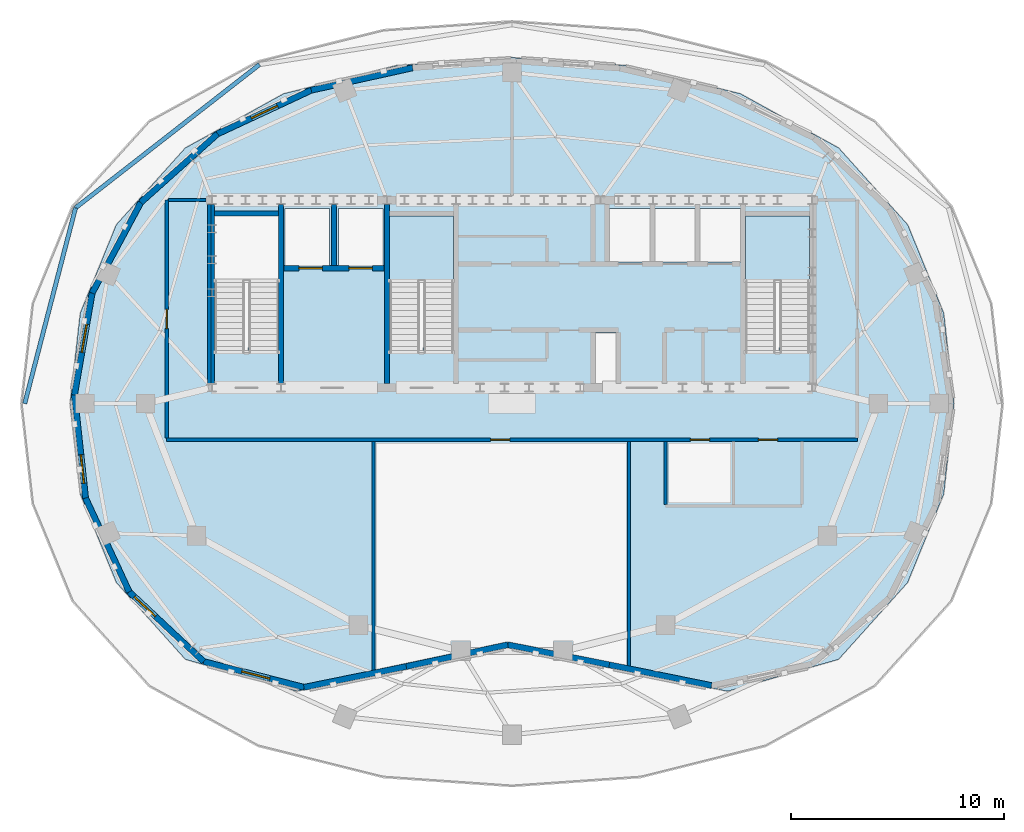
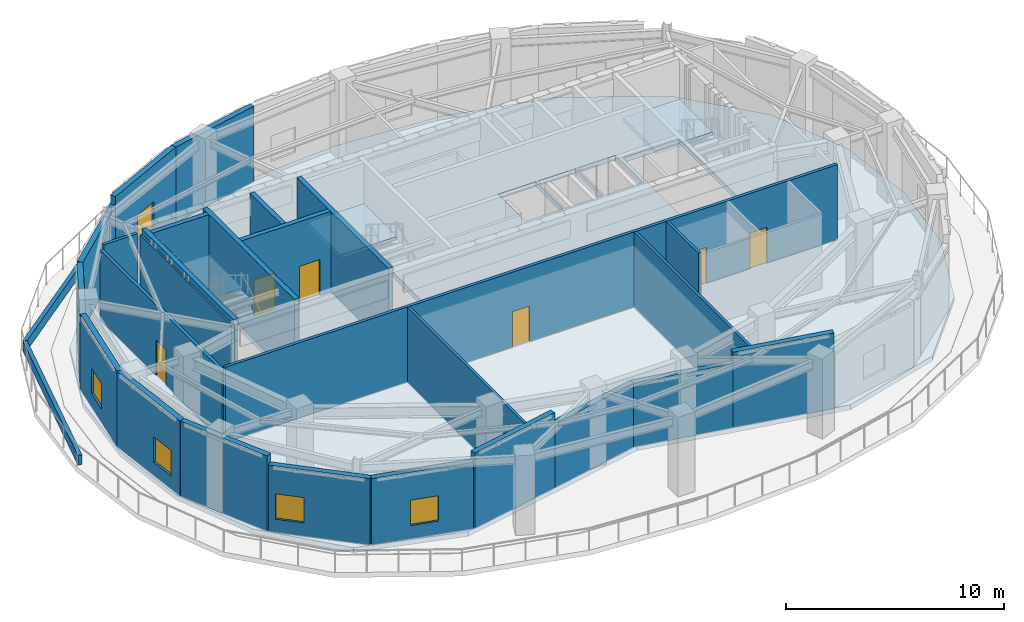
# One storey, part 3 of 8: 28 walls, 6 doors, 5 windows, 3 slabs, 11 openings, 2 elements without a shape of their own.
"""IFC4 building model written with IfcOpenShell, lengths in metres."""

from ifc_helpers import new_model, si_unit, direction, frame, frame_2d, origin, place, context, subcontext, project, spatial, polyline, rectangle, outline, extrude, material, layer, layer_set, type_object, element, fill, aggregate, save


model = new_model("IFC4")

# Units and contexts
model_context = context("Model", 3, precision=1e-05, world=origin(), true_north=direction((0.0, 1.0)))
body_context = subcontext(model_context, "Body", "Model", "MODEL_VIEW")
ifc_project = project(units=[si_unit("LENGTHUNIT", "METRE"), si_unit("AREAUNIT", "SQUARE_METRE"), si_unit("VOLUMEUNIT", "CUBIC_METRE"), si_unit("PLANEANGLEUNIT", "RADIAN"), si_unit("MASSUNIT", "GRAM", prefix="KILO")], contexts=[model_context])

# Site, building, storey
site_placement = place(None, origin())
site = spatial("IfcSite", under=ifc_project, at=site_placement, CompositionType="ELEMENT")
building_placement = place(site_placement, origin())
building = spatial("IfcBuilding", under=site, at=building_placement, Name="Haldorwick Loom Tower", CompositionType="ELEMENT")
storey_placement = place(building_placement, frame((0.0, 0.0, 291.5)))
storey = spatial("IfcBuildingStorey", under=building, at=storey_placement, Name="L78", CompositionType="ELEMENT", Elevation=291.5)

# Stair, slab
ifc_material_1 = material(Name="Concrete C40 (40 MPa)", Category="concrete")
stair_type = type_object("IfcStairType", Name="STR-STR-CORE", PredefinedType="HALF_TURN_STAIR", material=ifc_material_1)
stair_1_placement = place(storey_placement, origin())
stair_1 = element("IfcStair", 1, at=stair_1_placement, inside=storey, type_object=stair_type, Name="L78 Exit Stair ST-02", PredefinedType="HALF_TURN_STAIR")
ifc_layer_1 = layer(ifc_material_1, 0.199951171875, Name="Concrete C40 (40 MPa)", Category="concrete")
ifc_layer_set_1 = layer_set([ifc_layer_1], Name="Concrete C40 (40 MPa)")
slab_type_1 = type_object("IfcSlabType", Name="STR-SLB-LAND200", PredefinedType="LANDING", material=ifc_layer_set_1)
slab_1_placement = place(storey_placement, frame((0.0, 0.0, 2.050048828125)))
slab_1 = element("IfcSlab", 2, at=slab_1_placement, type_object=slab_type_1, Name="ST-02 landing 1", PredefinedType="LANDING", context=body_context, shape_type="SweptSolid", body=[
    extrude(outline(polyline([(49.949951171875, 31.760009765625), (49.949951171875, 34.800048828125), (46.949951171875, 34.800048828125), (46.949951171875, 31.760009765625), (49.949951171875, 31.760009765625)])), origin(), (0.0, 0.0, 1.0), 0.199951171875),
])
aggregate(stair_1, [slab_1])

stair_2_placement = place(storey_placement, origin())
stair_2 = element("IfcStair", 3, at=stair_2_placement, inside=storey, type_object=stair_type, Name="L78 Exit Stair ST-03", PredefinedType="HALF_TURN_STAIR")
slab_2_placement = place(storey_placement, frame((0.0, 0.0, 2.050048828125)))
slab_2 = element("IfcSlab", 4, at=slab_2_placement, type_object=slab_type_1, Name="ST-03 landing 1", PredefinedType="LANDING", context=body_context, shape_type="SweptSolid", body=[
    extrude(outline(polyline([(33.25, 31.760009765625), (33.25, 34.800048828125), (30.25, 34.800048828125), (30.25, 31.760009765625), (33.25, 31.760009765625)])), origin(), (0.0, 0.0, 1.0), 0.199951171875),
])
aggregate(stair_2, [slab_2])

# Slab
ifc_layer_2 = layer(ifc_material_1, 0.280029296875, Name="Concrete C40 (40 MPa)", Category="concrete")
ifc_layer_set_2 = layer_set([ifc_layer_2], Name="Concrete C40 (40 MPa)")
slab_type_2 = type_object("IfcSlabType", Name="STR-SLB-SKY280", PredefinedType="FLOOR", material=ifc_layer_set_2)
slab_3_placement = place(storey_placement, frame((0.0, 0.0, -0.280029296875)))
element("IfcSlab", 5, at=slab_3_placement, inside=storey, type_object=slab_type_2, Name="L78 Conservatory Structural Floor Slab", PredefinedType="FLOOR", context=body_context, shape_type="SweptSolid", body=[
    extrude(outline(polyline([(51.320556640625, 14.00390625), (54.561767578125, 17.608642578125), (56.25244140625, 21.7509765625), (56.733642578125, 26.0), (56.25244140625, 30.2490234375), (54.561767578125, 34.391357421875), (51.320556640625, 37.99609375), (46.716552734375, 40.5341796875), (41.426513671875, 41.85791015625), (36.0, 42.23486328125), (30.573486328125, 41.85791015625), (25.283447265625, 40.5341796875), (20.679443359375, 37.99609375), (17.438232421875, 34.391357421875), (15.74755859375, 30.2490234375), (15.266357421875, 26.0), (15.74755859375, 21.7509765625), (17.438232421875, 17.608642578125), (20.679443359375, 14.00390625), (25.88330078125, 12.505126953125), (31.505126953125, 13.619384765625), (36.0, 14.565185546875), (40.494873046875, 13.619384765625), (46.11669921875, 12.505126953125), (51.320556640625, 14.00390625)]), holes=[polyline([(40.89990234375, 26.89990234375), (39.89990234375, 26.89990234375), (39.89990234375, 29.300048828125), (40.89990234375, 29.300048828125), (40.89990234375, 26.89990234375)]), polyline([(23.6201171875, 28.39990234375), (22.050048828125, 28.39990234375), (22.050048828125, 34.800048828125), (25.050048828125, 34.800048828125), (25.050048828125, 28.639892578125), (23.6201171875, 28.639892578125), (23.6201171875, 28.39990234375)]), polyline([(31.820068359375, 28.39990234375), (30.25, 28.39990234375), (30.25, 34.800048828125), (33.25, 34.800048828125), (33.25, 28.639892578125), (31.820068359375, 28.639892578125), (31.820068359375, 28.39990234375)]), polyline([(48.52001953125, 28.39990234375), (46.949951171875, 28.39990234375), (46.949951171875, 34.800048828125), (49.949951171875, 34.800048828125), (49.949951171875, 28.639892578125), (48.52001953125, 28.639892578125), (48.52001953125, 28.39990234375)]), polyline([(27.449951171875, 32.449951171875), (25.35009765625, 32.449951171875), (25.35009765625, 35.14990234375), (27.449951171875, 35.14990234375), (27.449951171875, 32.449951171875)]), polyline([(29.949951171875, 32.449951171875), (27.85009765625, 32.449951171875), (27.85009765625, 35.14990234375), (29.949951171875, 35.14990234375), (29.949951171875, 32.449951171875)]), polyline([(42.550048828125, 32.64990234375), (40.550048828125, 32.64990234375), (40.550048828125, 35.14990234375), (42.550048828125, 35.14990234375), (42.550048828125, 32.64990234375)]), polyline([(42.64990234375, 32.64990234375), (42.64990234375, 35.14990234375), (44.64990234375, 35.14990234375), (44.64990234375, 32.64990234375), (42.64990234375, 32.64990234375)]), polyline([(44.75, 32.64990234375), (44.75, 35.14990234375), (46.75, 35.14990234375), (46.75, 32.64990234375), (44.75, 32.64990234375)])]), origin(), (0.0, 0.0, 1.0), 0.280029296875),
])

# Wall
ifc_material_2 = material(Name="Pressed Clay Face Brick and Insulated Masonry Backup Assembly", Category="masonry")
ifc_layer_3 = layer(ifc_material_2, 0.280029296875, Name="Pressed Clay Face Brick and Insulated Masonry Backup Assembly", Category="masonry")
ifc_layer_set_3 = layer_set([ifc_layer_3], Name="Pressed Clay Face Brick and Insulated Masonry Backup Assembly")
wall_type_1 = type_object("IfcWallType", Name="ARC-WL-EXT280", PredefinedType="STANDARD", material=ifc_layer_set_3)
wall_1_placement = place(storey_placement, frame((31.337890625, 41.75439453125, 0.0), z_axis=(0.0, 0.0, 1.0), x_axis=(-0.976414167671, -0.215905935936, 0.0)))
element("IfcWall", 6, at=wall_1_placement, inside=storey, type_object=wall_type_1, Name="L78 Brick Pier and Spandrel Wall 8", PredefinedType="STANDARD", context=body_context, shape_type="SweptSolid", body=[
    extrude(rectangle(XDim=4.870361328125, YDim=0.280029296875, at=frame_2d((2.43505859375, 0.0))), origin(), (0.0, 0.0, 1.0), 4.219970703125),
])

# Wall, opening, window
wall_2_placement = place(storey_placement, frame((26.58251953125, 40.702880859375, 0.0), z_axis=(0.0, 0.0, 1.0), x_axis=(-0.906356582326, -0.422513604129, 0.0)))
wall_2 = element("IfcWall", 7, at=wall_2_placement, inside=storey, type_object=wall_type_1, Name="L78 Brick Pier and Spandrel Wall 9", PredefinedType="STANDARD", context=body_context, shape_type="SweptSolid", body=[
    extrude(rectangle(XDim=4.8525390625, YDim=0.280029296875, at=frame_2d((2.42626953125, 0.0))), origin(), (0.0, 0.0, 1.0), 4.219970703125),
])
opening_1_placement = place(wall_2_placement, frame((1.751220703125, 0.0, 0.75)))
opening_1 = element("IfcOpeningElement", 8, at=opening_1_placement, cuts=wall_2, Name="Opening W-02B", PredefinedType="OPENING", context=body_context, shape_type="SweptSolid", body=[
    extrude(rectangle(XDim=1.35009765625, YDim=1.419921875, at=frame_2d((0.675048828125, 0.7099609375))), frame((0.0, 0.14990234375, 0.0), z_axis=(0.0, -1.0, 0.0), x_axis=(1.0, 0.0, 0.0)), (0.0, 0.0, 1.0), 0.300048828125),
])
ifc_material_3 = material(Name="Triple-Glazed Low-E Argon Insulated Glazing Unit", Category="glass")
window_type = type_object("IfcWindowType", Name="ARC-WIN-W135", PartitioningType="SINGLE_PANEL", PredefinedType="WINDOW", material=ifc_material_3)
window_1_placement = place(opening_1_placement, origin())
window_1 = element("IfcWindow", 9, at=window_1_placement, inside=storey, type_object=window_type, Name="L78 Deep-Set Zone 7A Window 9", OverallHeight=1.419921875, OverallWidth=1.35009765625, PartitioningType="SINGLE_PANEL", PredefinedType="WINDOW", context=body_context, shape_type="SweptSolid", body=[
    extrude(rectangle(XDim=1.35009765625, YDim=1.419921875, at=frame_2d((0.675048828125, 0.7099609375))), frame((0.0, 0.030029296875, 0.0), z_axis=(0.0, -1.0, 0.0), x_axis=(1.0, 0.0, 0.0)), (0.0, 0.0, 1.0), 0.06005859375),
])
fill(opening_1, window_1)

# Walls
wall_3_placement = place(storey_placement, frame((22.184326171875, 38.652587890625, 0.0), z_axis=(0.0, 0.0, 1.0), x_axis=(-0.745466208851, -0.666543420537, 0.0)))
element("IfcWall", 10, at=wall_3_placement, inside=storey, type_object=wall_type_1, Name="L78 Brick Pier and Spandrel Wall 10", PredefinedType="STANDARD", context=body_context, shape_type="SweptSolid", body=[
    extrude(rectangle(XDim=4.82568359375, YDim=0.280029296875, at=frame_2d((2.412841796875, 0.0))), origin(), (0.0, 0.0, 1.0), 3.72900390625),
])
wall_4_placement = place(storey_placement, frame((18.5869140625, 35.43603515625, 0.0), z_axis=(0.0, 0.0, 1.0), x_axis=(-0.473656115497, -0.880709875187, 0.0)))
element("IfcWall", 11, at=wall_4_placement, inside=storey, type_object=wall_type_1, Name="L78 Brick Pier and Spandrel Wall 11", PredefinedType="STANDARD", context=body_context, shape_type="SweptSolid", body=[
    extrude(rectangle(XDim=4.823974609375, YDim=0.280029296875, at=frame_2d((2.412109375, 0.0))), origin(), (0.0, 0.0, 1.0), 3.72900390625),
])

# Wall, opening, window
wall_5_placement = place(storey_placement, frame((16.302001953125, 31.1875, 0.0), z_axis=(0.0, 0.0, 1.0), x_axis=(-0.170886973736, -0.985290638445, 0.0)))
wall_5 = element("IfcWall", 12, at=wall_5_placement, inside=storey, type_object=wall_type_1, Name="L78 Brick Pier and Spandrel Wall 12", PredefinedType="STANDARD", context=body_context, shape_type="SweptSolid", body=[
    extrude(rectangle(XDim=4.8544921875, YDim=0.280029296875, at=frame_2d((2.42724609375, 0.0))), origin(), (0.0, 0.0, 1.0), 4.219970703125),
])
opening_2_placement = place(wall_5_placement, frame((1.48193359375, 0.0, 0.75)))
opening_2 = element("IfcOpeningElement", 13, at=opening_2_placement, cuts=wall_5, Name="Opening W-02B", PredefinedType="OPENING", context=body_context, shape_type="SweptSolid", body=[
    extrude(rectangle(XDim=1.35009765625, YDim=1.419921875, at=frame_2d((0.675048828125, 0.7099609375))), frame((0.0, 0.14990234375, 0.0), z_axis=(0.0, -1.0, 0.0), x_axis=(1.0, 0.0, 0.0)), (0.0, 0.0, 1.0), 0.300048828125),
])
window_2_placement = place(opening_2_placement, origin())
window_2 = element("IfcWindow", 14, at=window_2_placement, inside=storey, type_object=window_type, Name="L78 Deep-Set Zone 7A Window 12", OverallHeight=1.419921875, OverallWidth=1.35009765625, PartitioningType="SINGLE_PANEL", PredefinedType="WINDOW", context=body_context, shape_type="SweptSolid", body=[
    extrude(rectangle(XDim=1.35009765625, YDim=1.419921875, at=frame_2d((0.675048828125, 0.7099609375))), frame((0.0, 0.030029296875, 0.0), z_axis=(0.0, -1.0, 0.0), x_axis=(1.0, 0.0, 0.0)), (0.0, 0.0, 1.0), 0.06005859375),
])
fill(opening_2, window_2)

wall_6_placement = place(storey_placement, frame((15.472412109375, 26.404296875, 0.0), z_axis=(0.0, 0.0, 1.0), x_axis=(0.107055651936, -0.994253029861, 0.0)))
wall_6 = element("IfcWall", 15, at=wall_6_placement, inside=storey, type_object=wall_type_1, Name="L78 Brick Pier and Spandrel Wall 13", PredefinedType="STANDARD", context=body_context, shape_type="SweptSolid", body=[
    extrude(rectangle(XDim=4.86669921875, YDim=0.280029296875, at=frame_2d((2.433349609375, 0.0))), origin(), (0.0, 0.0, 1.0), 4.219970703125),
])
opening_3_placement = place(wall_6_placement, frame((2.814453125, 0.0, 0.75)))
opening_3 = element("IfcOpeningElement", 16, at=opening_3_placement, cuts=wall_6, Name="Opening W-02B", PredefinedType="OPENING", context=body_context, shape_type="SweptSolid", body=[
    extrude(rectangle(XDim=1.35009765625, YDim=1.419921875, at=frame_2d((0.675048828125, 0.7099609375))), frame((0.0, 0.14990234375, 0.0), z_axis=(0.0, -1.0, 0.0), x_axis=(1.0, 0.0, 0.0)), (0.0, 0.0, 1.0), 0.300048828125),
])
window_3_placement = place(opening_3_placement, origin())
window_3 = element("IfcWindow", 17, at=window_3_placement, inside=storey, type_object=window_type, Name="L78 Deep-Set Zone 7A Window 13", OverallHeight=1.419921875, OverallWidth=1.35009765625, PartitioningType="SINGLE_PANEL", PredefinedType="WINDOW", context=body_context, shape_type="SweptSolid", body=[
    extrude(rectangle(XDim=1.35009765625, YDim=1.419921875, at=frame_2d((0.675048828125, 0.7099609375))), frame((0.0, 0.030029296875, 0.0), z_axis=(0.0, -1.0, 0.0), x_axis=(1.0, 0.0, 0.0)), (0.0, 0.0, 1.0), 0.06005859375),
])
fill(opening_3, window_3)

# Wall
wall_7_placement = place(storey_placement, frame((15.993408203125, 21.565673828125, 0.0), z_axis=(0.0, 0.0, 1.0), x_axis=(0.422199307419, -0.906503030781, 0.0)))
element("IfcWall", 18, at=wall_7_placement, inside=storey, type_object=wall_type_1, Name="L78 Brick Pier and Spandrel Wall 14", PredefinedType="STANDARD", context=body_context, shape_type="SweptSolid", body=[
    extrude(rectangle(XDim=4.85107421875, YDim=0.280029296875, at=frame_2d((2.425537109375, 0.0))), origin(), (0.0, 0.0, 1.0), 4.219970703125),
])

# Wall, opening, window
wall_8_placement = place(storey_placement, frame((18.04150390625, 17.168212890625, 0.0), z_axis=(0.0, 0.0, 1.0), x_axis=(0.729829744729, -0.683628951778, 0.0)))
wall_8 = element("IfcWall", 19, at=wall_8_placement, inside=storey, type_object=wall_type_1, Name="L78 Brick Pier and Spandrel Wall 15", PredefinedType="STANDARD", context=body_context, shape_type="SweptSolid", body=[
    extrude(rectangle(XDim=4.78759765625, YDim=0.280029296875, at=frame_2d((2.393798828125, 0.0))), origin(), (0.0, 0.0, 1.0), 3.72900390625),
])
opening_4_placement = place(wall_8_placement, frame((0.340087890625, 0.0, 0.75)))
opening_4 = element("IfcOpeningElement", 20, at=opening_4_placement, cuts=wall_8, Name="Opening W-02B", PredefinedType="OPENING", context=body_context, shape_type="SweptSolid", body=[
    extrude(rectangle(XDim=1.35009765625, YDim=1.419921875, at=frame_2d((0.675048828125, 0.7099609375))), frame((0.0, 0.14990234375, 0.0), z_axis=(0.0, -1.0, 0.0), x_axis=(1.0, 0.0, 0.0)), (0.0, 0.0, 1.0), 0.300048828125),
])
window_4_placement = place(opening_4_placement, origin())
window_4 = element("IfcWindow", 21, at=window_4_placement, inside=storey, type_object=window_type, Name="L78 Deep-Set Zone 7A Window 15", OverallHeight=1.419921875, OverallWidth=1.35009765625, PartitioningType="SINGLE_PANEL", PredefinedType="WINDOW", context=body_context, shape_type="SweptSolid", body=[
    extrude(rectangle(XDim=1.35009765625, YDim=1.419921875, at=frame_2d((0.675048828125, 0.7099609375))), frame((0.0, 0.030029296875, 0.0), z_axis=(0.0, -1.0, 0.0), x_axis=(1.0, 0.0, 0.0)), (0.0, 0.0, 1.0), 0.06005859375),
])
fill(opening_4, window_4)

wall_9_placement = place(storey_placement, frame((21.53564453125, 13.895263671875, 0.0), z_axis=(0.0, 0.0, 1.0), x_axis=(0.968620166808, -0.248545715017, 0.0)))
wall_9 = element("IfcWall", 22, at=wall_9_placement, inside=storey, type_object=wall_type_1, Name="L78 Brick Pier and Spandrel Wall 16", PredefinedType="STANDARD", context=body_context, shape_type="SweptSolid", body=[
    extrude(rectangle(XDim=4.861328125, YDim=0.280029296875, at=frame_2d((2.4306640625, 0.0))), origin(), (0.0, 0.0, 1.0), 3.72900390625),
])
opening_5_placement = place(wall_9_placement, frame((1.845947265625, 0.0, 0.75)))
opening_5 = element("IfcOpeningElement", 23, at=opening_5_placement, cuts=wall_9, Name="Opening W-02B", PredefinedType="OPENING", context=body_context, shape_type="SweptSolid", body=[
    extrude(rectangle(XDim=1.35009765625, YDim=1.419921875, at=frame_2d((0.675048828125, 0.7099609375))), frame((0.0, 0.14990234375, 0.0), z_axis=(0.0, -1.0, 0.0), x_axis=(1.0, 0.0, 0.0)), (0.0, 0.0, 1.0), 0.300048828125),
])
window_5_placement = place(opening_5_placement, origin())
window_5 = element("IfcWindow", 24, at=window_5_placement, inside=storey, type_object=window_type, Name="L78 Deep-Set Zone 7A Window 16", OverallHeight=1.419921875, OverallWidth=1.35009765625, PartitioningType="SINGLE_PANEL", PredefinedType="WINDOW", context=body_context, shape_type="SweptSolid", body=[
    extrude(rectangle(XDim=1.35009765625, YDim=1.419921875, at=frame_2d((0.675048828125, 0.7099609375))), frame((0.0, 0.030029296875, 0.0), z_axis=(0.0, -1.0, 0.0), x_axis=(1.0, 0.0, 0.0)), (0.0, 0.0, 1.0), 0.06005859375),
])
fill(opening_5, window_5)

# Walls
wall_10_placement = place(storey_placement, frame((26.244384765625, 12.68701171875, 0.0), z_axis=(0.0, 0.0, 1.0), x_axis=(0.979885763397, 0.199559241056, 0.0)))
element("IfcWall", 25, at=wall_10_placement, inside=storey, type_object=wall_type_1, Name="L78 Brick Pier and Spandrel Wall 17", PredefinedType="STANDARD", context=body_context, shape_type="SweptSolid", body=[
    extrude(rectangle(XDim=4.8935546875, YDim=0.280029296875, at=frame_2d((2.44677734375, 0.0))), origin(), (0.0, 0.0, 1.0), 4.219970703125),
])
wall_11_placement = place(storey_placement, frame((31.03955078125, 13.66357421875, 0.0), z_axis=(0.0, 0.0, 1.0), x_axis=(0.977854468485, 0.209286020707, 0.0)))
element("IfcWall", 26, at=wall_11_placement, inside=storey, type_object=wall_type_1, Name="L78 Brick Pier and Spandrel Wall 18", PredefinedType="STANDARD", context=body_context, shape_type="SweptSolid", body=[
    extrude(rectangle(XDim=4.870361328125, YDim=0.280029296875, at=frame_2d((2.43505859375, 0.0))), origin(), (0.0, 0.0, 1.0), 3.5791015625),
])
wall_12_placement = place(storey_placement, frame((35.802001953125, 14.682861328125, 0.0), z_axis=(0.0, 0.0, 1.0), x_axis=(0.98113222216, -0.193337949302, 0.0)))
element("IfcWall", 27, at=wall_12_placement, inside=storey, type_object=wall_type_1, Name="L78 Brick Pier and Spandrel Wall 19", PredefinedType="STANDARD", context=body_context, shape_type="SweptSolid", body=[
    extrude(rectangle(XDim=4.8515625, YDim=0.280029296875, at=frame_2d((2.42578125, 0.0))), origin(), (0.0, 0.0, 1.0), 3.5791015625),
])
wall_13_placement = place(storey_placement, frame((40.56201171875, 13.744873046875, 0.0), z_axis=(0.0, 0.0, 1.0), x_axis=(0.979871848611, -0.19962755396, 0.0)))
element("IfcWall", 28, at=wall_13_placement, inside=storey, type_object=wall_type_1, Name="L78 Brick Pier and Spandrel Wall 20", PredefinedType="STANDARD", context=body_context, shape_type="SweptSolid", body=[
    extrude(rectangle(XDim=4.891845703125, YDim=0.280029296875, at=frame_2d((2.44580078125, 0.0))), origin(), (0.0, 0.0, 1.0), 4.219970703125),
])

# Wall, openings, doors
ifc_material_4 = material(Name="Fire-Rated Type X Gypsum Stud Assembly EI 60")
ifc_layer_4 = layer(ifc_material_4, 0.159912109375, Name="Fire-Rated Type X Gypsum Stud Assembly EI 60")
ifc_layer_set_4 = layer_set([ifc_layer_4], Name="Fire-Rated Type X Gypsum Stud Assembly EI 60")
wall_type_2 = type_object("IfcWallType", Name="ARC-WL-FIRE160", PredefinedType="PARTITIONING", material=ifc_layer_set_4)
wall_14_placement = place(storey_placement, frame((19.800048828125, 24.300048828125, 0.0), z_axis=(0.0, 0.0, 1.0), x_axis=(1.0, 0.0, 0.0)))
wall_14 = element("IfcWall", 29, at=wall_14_placement, inside=storey, type_object=wall_type_2, Name="L78 Interior Partition L78-CS", PredefinedType="PARTITIONING", context=body_context, shape_type="SweptSolid", body=[
    extrude(rectangle(XDim=32.39990234375, YDim=0.159912109375, at=frame_2d((16.199951171875, 0.0))), origin(), (0.0, 0.0, 1.0), 4.205078125),
])
opening_6_placement = place(wall_14_placement, frame((15.198974609375, 0.0, 0.0)))
opening_6 = element("IfcOpeningElement", 30, at=opening_6_placement, cuts=wall_14, Name="Opening D-FD60A", PredefinedType="OPENING", context=body_context, shape_type="SweptSolid", body=[
    extrude(rectangle(XDim=0.89990234375, YDim=2.0, at=frame_2d((0.449951171875, 1.0))), frame((0.0, 0.08984375, 0.0), z_axis=(0.0, -1.0, 0.0), x_axis=(1.0, 0.0, 0.0)), (0.0, 0.0, 1.0), 0.179931640625),
])
opening_7_placement = place(wall_14_placement, frame((24.56640625, 0.0, 0.0)))
opening_7 = element("IfcOpeningElement", 31, at=opening_7_placement, cuts=wall_14, Name="Opening D-FD60A", PredefinedType="OPENING", context=body_context, shape_type="SweptSolid", body=[
    extrude(rectangle(XDim=0.89990234375, YDim=2.0, at=frame_2d((0.449951171875, 1.0))), frame((0.0, 0.08984375, 0.0), z_axis=(0.0, -1.0, 0.0), x_axis=(1.0, 0.0, 0.0)), (0.0, 0.0, 1.0), 0.179931640625),
])
opening_8_placement = place(wall_14_placement, frame((27.76220703125, 0.0, 0.0)))
opening_8 = element("IfcOpeningElement", 32, at=opening_8_placement, cuts=wall_14, Name="Opening D-FD60A", PredefinedType="OPENING", context=body_context, shape_type="SweptSolid", body=[
    extrude(rectangle(XDim=0.89990234375, YDim=2.0, at=frame_2d((0.449951171875, 1.0))), frame((0.0, 0.08984375, 0.0), z_axis=(0.0, -1.0, 0.0), x_axis=(1.0, 0.0, 0.0)), (0.0, 0.0, 1.0), 0.179931640625),
])
ifc_material_5 = material(Name="Hollow Steel Fire Door Assembly", Category="steel")
door_type_1 = type_object("IfcDoorType", Name="ARC-DR-FD60-90", OperationType="NOTDEFINED", PredefinedType="DOOR", material=ifc_material_5)
door_1_placement = place(opening_6_placement, origin())
door_1 = element("IfcDoor", 33, at=door_1_placement, inside=storey, type_object=door_type_1, Name="L78 L78 Central Transfer Corridor to Botanical Sky-Garden Conservatory 1", OperationType="SINGLE_SWING_LEFT", OverallHeight=2.0, OverallWidth=0.89990234375, PredefinedType="DOOR", context=body_context, shape_type="SweptSolid", body=[
    extrude(rectangle(XDim=0.89990234375, YDim=2.0, at=frame_2d((0.449951171875, 1.0))), frame((0.0, 0.02490234375, 0.0), z_axis=(0.0, -1.0, 0.0), x_axis=(1.0, 0.0, 0.0)), (0.0, 0.0, 1.0), 0.050048828125),
])
fill(opening_6, door_1)
door_2_placement = place(opening_7_placement, origin())
door_2 = element("IfcDoor", 34, at=door_2_placement, inside=storey, type_object=door_type_1, Name="L78 L78 Central Transfer Corridor to Public Washroom Door", OperationType="SINGLE_SWING_RIGHT", OverallHeight=2.0, OverallWidth=0.89990234375, PredefinedType="DOOR", context=body_context, shape_type="SweptSolid", body=[
    extrude(rectangle(XDim=0.89990234375, YDim=2.0, at=frame_2d((0.449951171875, 1.0))), frame((0.0, 0.02490234375, 0.0), z_axis=(0.0, -1.0, 0.0), x_axis=(1.0, 0.0, 0.0)), (0.0, 0.0, 1.0), 0.050048828125),
])
fill(opening_7, door_2)
door_3_placement = place(opening_8_placement, origin())
door_3 = element("IfcDoor", 35, at=door_3_placement, inside=storey, type_object=door_type_1, Name="L78 L78 Central Transfer Corridor to Accessible WC Door", OperationType="SINGLE_SWING_LEFT", OverallHeight=2.0, OverallWidth=0.89990234375, PredefinedType="DOOR", context=body_context, shape_type="SweptSolid", body=[
    extrude(rectangle(XDim=0.89990234375, YDim=2.0, at=frame_2d((0.449951171875, 1.0))), frame((0.0, 0.02490234375, 0.0), z_axis=(0.0, -1.0, 0.0), x_axis=(1.0, 0.0, 0.0)), (0.0, 0.0, 1.0), 0.050048828125),
])
fill(opening_8, door_3)

# Wall, opening, door
wall_15_placement = place(storey_placement, frame((19.800048828125, 24.383056640625, 0.0), z_axis=(0.0, 0.0, 1.0), x_axis=(0.0, 1.0, 0.0)))
wall_15 = element("IfcWall", 36, at=wall_15_placement, inside=storey, type_object=wall_type_2, Name="L78 Interior Partition L78-CW0", PredefinedType="PARTITIONING", context=body_context, shape_type="SweptSolid", body=[
    extrude(rectangle(XDim=11.1669921875, YDim=0.159912109375, at=frame_2d((5.58349609375, 0.0))), origin(), (0.0, 0.0, 1.0), 3.93701171875),
])
opening_9_placement = place(wall_15_placement, frame((5.133544921875, 0.0, 0.0)))
opening_9 = element("IfcOpeningElement", 37, at=opening_9_placement, cuts=wall_15, Name="Opening D-FD60A", PredefinedType="OPENING", context=body_context, shape_type="SweptSolid", body=[
    extrude(rectangle(XDim=0.89990234375, YDim=2.0, at=frame_2d((0.449951171875, 1.0))), frame((0.0, 0.08984375, 0.0), z_axis=(0.0, -1.0, 0.0), x_axis=(1.0, 0.0, 0.0)), (0.0, 0.0, 1.0), 0.179931640625),
])
door_4_placement = place(opening_9_placement, frame((0.89990234375, 0.0, 0.0), z_axis=(0.0, 0.0, 1.0), x_axis=(-1.0, 0.0, 0.0)))
door_4 = element("IfcDoor", 38, at=door_4_placement, inside=storey, type_object=door_type_1, Name="L78 Botanical Reference Office 4 to L78 Central Transfer Corridor Door", OperationType="SINGLE_SWING_RIGHT", OverallHeight=2.0, OverallWidth=0.89990234375, PredefinedType="DOOR", context=body_context, shape_type="SweptSolid", body=[
    extrude(rectangle(XDim=0.89990234375, YDim=2.0, at=frame_2d((0.449951171875, 1.0))), frame((0.0, 0.02490234375, 0.0), z_axis=(0.0, -1.0, 0.0), x_axis=(1.0, 0.0, 0.0)), (0.0, 0.0, 1.0), 0.050048828125),
])
fill(opening_9, door_4)

# Walls
wall_16_placement = place(storey_placement, frame((21.800048828125, 26.952880859375, 0.0), z_axis=(0.0, 0.0, 1.0), x_axis=(0.0, 1.0, 0.0)))
element("IfcWall", 39, at=wall_16_placement, inside=storey, type_object=wall_type_2, Name="L78 Interior Partition L78-CW2", PredefinedType="PARTITIONING", context=body_context, shape_type="SweptSolid", body=[
    extrude(rectangle(XDim=8.39404296875, YDim=0.159912109375, at=frame_2d((4.197021484375, 0.0))), origin(), (0.0, 0.0, 1.0), 4.205078125),
])
wall_17_placement = place(storey_placement, frame((19.883056640625, 35.550048828125, 0.0), z_axis=(0.0, 0.0, 1.0), x_axis=(1.0, 0.0, 0.0)))
element("IfcWall", 40, at=wall_17_placement, inside=storey, type_object=wall_type_2, Name="L78 Interior Partition L78-CWN", PredefinedType="PARTITIONING", context=body_context, shape_type="SweptSolid", body=[
    extrude(rectangle(XDim=1.766845703125, YDim=0.159912109375, at=frame_2d((0.88330078125, 0.0))), origin(), (0.0, 0.0, 1.0), 4.205078125),
])
ifc_layer_5 = layer(ifc_material_2, 0.199951171875, Name="Pressed Clay Face Brick and Insulated Masonry Backup Assembly", Category="masonry")
ifc_layer_set_5 = layer_set([ifc_layer_5], Name="Pressed Clay Face Brick and Insulated Masonry Backup Assembly")
wall_type_3 = type_object("IfcWallType", Name="ARC-WL-PARAPET200", PredefinedType="PARAPET", material=ifc_layer_set_5)
wall_18_placement = place(storey_placement, frame((13.140625, 26.0, 0.0), z_axis=(0.0, 0.0, 1.0), x_axis=(0.251444387214, 0.967871747774, 0.0)))
element("IfcWall", 41, at=wall_18_placement, inside=storey, type_object=wall_type_3, Name="L78 Terrace Masonry Parapet 1", PredefinedType="PARAPET", context=body_context, shape_type="SweptSolid", body=[
    extrude(rectangle(XDim=9.487060546875, YDim=0.199951171875, at=frame_2d((4.74365234375, 0.0))), origin(), (0.0, 0.0, 1.0), 0.550048828125),
])
wall_19_placement = place(storey_placement, frame((15.526123046875, 35.182373046875, 0.0), z_axis=(0.0, 0.0, 1.0), x_axis=(0.788779624248, 0.61467609712, 0.0)))
element("IfcWall", 42, at=wall_19_placement, inside=storey, type_object=wall_type_3, Name="L78 Terrace Masonry Parapet 2", PredefinedType="PARAPET", context=body_context, shape_type="SweptSolid", body=[
    extrude(rectangle(XDim=10.934814453125, YDim=0.199951171875, at=frame_2d((5.46728515625, 0.0))), origin(), (0.0, 0.0, 1.0), 0.550048828125),
])
ifc_layer_6 = layer(ifc_material_4, 0.139892578125, Name="Fire-Rated Type X Gypsum Stud Assembly EI 60")
ifc_layer_set_6 = layer_set([ifc_layer_6], Name="Fire-Rated Type X Gypsum Stud Assembly EI 60")
wall_type_4 = type_object("IfcWallType", Name="ARC-WL-PART140", PredefinedType="PARTITIONING", material=ifc_layer_set_6)
wall_20_placement = place(storey_placement, frame((43.199951171875, 21.27294921875, 0.0), z_axis=(0.0, 0.0, 1.0), x_axis=(0.0, 1.0, 0.0)))
element("IfcWall", 43, at=wall_20_placement, inside=storey, type_object=wall_type_4, Name="L78 Interior Partition L78-WC3", PredefinedType="PARTITIONING", context=body_context, shape_type="SweptSolid", body=[
    extrude(rectangle(XDim=2.944091796875, YDim=0.139892578125, at=frame_2d((1.47216796875, 0.0))), origin(), (0.0, 0.0, 1.0), 4.205078125),
])
wall_21_placement = place(storey_placement, frame((29.5, 13.39599609375, 0.0), z_axis=(0.0, 0.0, 1.0), x_axis=(0.0, 1.0, 0.0)))
element("IfcWall", 44, at=wall_21_placement, inside=storey, type_object=wall_type_4, Name="L78 Interior Partition L78-S-0", PredefinedType="PARTITIONING", context=body_context, shape_type="SweptSolid", body=[
    extrude(rectangle(XDim=10.821044921875, YDim=0.139892578125, at=frame_2d((5.41064453125, 0.0))), origin(), (0.0, 0.0, 1.0), 4.205078125),
])
wall_22_placement = place(storey_placement, frame((41.5, 13.599609375, 0.0), z_axis=(0.0, 0.0, 1.0), x_axis=(0.0, 1.0, 0.0)))
element("IfcWall", 45, at=wall_22_placement, inside=storey, type_object=wall_type_4, Name="L78 Interior Partition L78-S-1", PredefinedType="PARTITIONING", context=body_context, shape_type="SweptSolid", body=[
    extrude(rectangle(XDim=10.617431640625, YDim=0.139892578125, at=frame_2d((5.30859375, 0.0))), origin(), (0.0, 0.0, 1.0), 4.205078125),
])
ifc_material_6 = material(Name="Concrete C50 (50 MPa)", Category="concrete")
ifc_layer_7 = layer(ifc_material_6, 0.239990234375, Name="Concrete C50 (50 MPa)", Category="concrete")
ifc_layer_set_7 = layer_set([ifc_layer_7], Name="Concrete C50 (50 MPa)")
wall_type_5 = type_object("IfcWallType", Name="STR-WL-SHAFT240", PredefinedType="SHEAR", material=ifc_layer_set_7)
for number, where, z_axis, x_axis, name in (
    (46, (21.929931640625, 35.346923828125, 0.0), (0.0, 0.0, 1.0), (0.0, -1.0, 0.0), "L78 Core Shear Wall W"),
    (47, (25.169921875, 26.952880859375, 0.0), (0.0, 0.0, 1.0), (0.0, 1.0, 0.0), "L78 Core Shear Wall 1"),
):
    element("IfcWall", number, at=place(storey_placement, frame(where, z_axis=z_axis, x_axis=x_axis)), inside=storey, type_object=wall_type_5, Name=name, PredefinedType="SHEAR", context=body_context, shape_type="SweptSolid", body=[
        extrude(rectangle(XDim=8.39404296875, YDim=0.239990234375, at=frame_2d((4.197021484375, 0.0))), origin(), (0.0, 0.0, 1.0), 4.5),
    ])
wall_23_placement = place(storey_placement, frame((22.052978515625, 34.919921875, 0.0), z_axis=(0.0, 0.0, 1.0), x_axis=(1.0, 0.0, 0.0)))
element("IfcWall", 48, at=wall_23_placement, inside=storey, type_object=wall_type_5, Name="L78 Core Shear Wall 1N", PredefinedType="SHEAR", context=body_context, shape_type="SweptSolid", body=[
    extrude(rectangle(XDim=2.994140625, YDim=0.239990234375, at=frame_2d((1.4970703125, 0.0))), origin(), (0.0, 0.0, 1.0), 4.5),
])
wall_24_placement = place(storey_placement, frame((30.1298828125, 26.952880859375, 0.0), z_axis=(0.0, 0.0, 1.0), x_axis=(0.0, 1.0, 0.0)))
element("IfcWall", 49, at=wall_24_placement, inside=storey, type_object=wall_type_5, Name="L78 Core Shear Wall 2", PredefinedType="SHEAR", context=body_context, shape_type="SweptSolid", body=[
    extrude(rectangle(XDim=8.39404296875, YDim=0.239990234375, at=frame_2d((4.197021484375, 0.0))), origin(), (0.0, 0.0, 1.0), 4.5),
])

# Wall, openings, doors
wall_25_placement = place(storey_placement, frame((25.29296875, 32.35009765625, 0.0), z_axis=(0.0, 0.0, 1.0), x_axis=(1.0, 0.0, 0.0)))
wall_25 = element("IfcWall", 50, at=wall_25_placement, inside=storey, type_object=wall_type_5, Name="L78 Core Shear Wall FF", PredefinedType="SHEAR", context=body_context, shape_type="SweptSolid", body=[
    extrude(rectangle(XDim=4.714111328125, YDim=0.239990234375, at=frame_2d((2.35693359375, 0.0))), origin(), (0.0, 0.0, 1.0), 4.5),
])
opening_10_placement = place(wall_25_placement, frame((0.70703125, 0.0, 0.0)))
opening_10 = element("IfcOpeningElement", 51, at=opening_10_placement, cuts=wall_25, Name="Opening LD-FF1", PredefinedType="OPENING", context=body_context, shape_type="SweptSolid", body=[
    extrude(rectangle(XDim=1.10009765625, YDim=2.0, at=frame_2d((0.550048828125, 1.0))), frame((0.0, 0.1298828125, 0.0), z_axis=(0.0, -1.0, 0.0), x_axis=(1.0, 0.0, 0.0)), (0.0, 0.0, 1.0), 0.260009765625),
])
opening_11_placement = place(wall_25_placement, frame((3.056884765625, 0.0, 0.0)))
opening_11 = element("IfcOpeningElement", 52, at=opening_11_placement, cuts=wall_25, Name="Opening LD-FF2", PredefinedType="OPENING", context=body_context, shape_type="SweptSolid", body=[
    extrude(rectangle(XDim=1.10009765625, YDim=2.0, at=frame_2d((0.550048828125, 1.0))), frame((0.0, 0.1298828125, 0.0), z_axis=(0.0, -1.0, 0.0), x_axis=(1.0, 0.0, 0.0)), (0.0, 0.0, 1.0), 0.260009765625),
])
door_type_2 = type_object("IfcDoorType", Name="ARC-DR-LD-FF", OperationType="NOTDEFINED", PredefinedType="USERDEFINED", material=ifc_material_5)
door_5_placement = place(opening_10_placement, origin())
door_5 = element("IfcDoor", 53, at=door_5_placement, inside=storey, type_object=door_type_2, Name="L78 Lift LF-FF1 Sliding Landing Door", ObjectType="LANDING DOOR", OperationType="DOUBLE_DOOR_SLIDING", OverallHeight=2.0, OverallWidth=1.10009765625, PredefinedType="USERDEFINED", context=body_context, shape_type="SweptSolid", body=[
    extrude(rectangle(XDim=1.10009765625, YDim=2.0, at=frame_2d((0.550048828125, 1.0))), frame((0.0, 0.02490234375, 0.0), z_axis=(0.0, -1.0, 0.0), x_axis=(1.0, 0.0, 0.0)), (0.0, 0.0, 1.0), 0.050048828125),
])
fill(opening_10, door_5)
door_6_placement = place(opening_11_placement, origin())
door_6 = element("IfcDoor", 54, at=door_6_placement, inside=storey, type_object=door_type_2, Name="L78 Lift LF-FF2 Sliding Landing Door", ObjectType="LANDING DOOR", OperationType="DOUBLE_DOOR_SLIDING", OverallHeight=2.0, OverallWidth=1.10009765625, PredefinedType="USERDEFINED", context=body_context, shape_type="SweptSolid", body=[
    extrude(rectangle(XDim=1.10009765625, YDim=2.0, at=frame_2d((0.550048828125, 1.0))), frame((0.0, 0.02490234375, 0.0), z_axis=(0.0, -1.0, 0.0), x_axis=(1.0, 0.0, 0.0)), (0.0, 0.0, 1.0), 0.050048828125),
])
fill(opening_11, door_6)

# Wall
wall_26_placement = place(storey_placement, frame((27.64990234375, 32.472900390625, 0.0), z_axis=(0.0, 0.0, 1.0), x_axis=(0.0, 1.0, 0.0)))
element("IfcWall", 55, at=wall_26_placement, inside=storey, type_object=wall_type_5, Name="L78 Core Shear Wall FFD", PredefinedType="SHEAR", context=body_context, shape_type="SweptSolid", body=[
    extrude(rectangle(XDim=2.8740234375, YDim=0.239990234375, at=frame_2d((1.43701171875, 0.0))), origin(), (0.0, 0.0, 1.0), 4.5),
])

save(model, "model.ifc")
